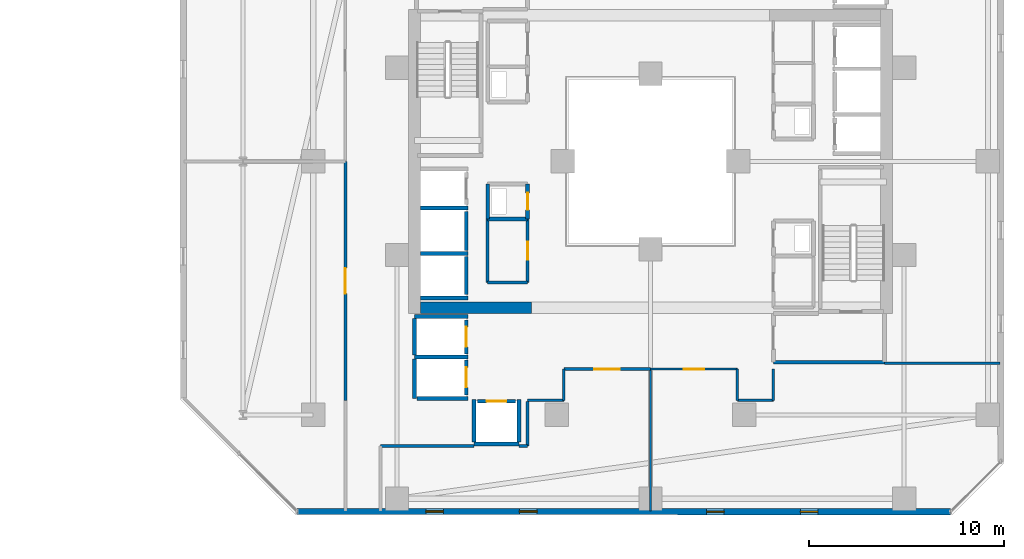
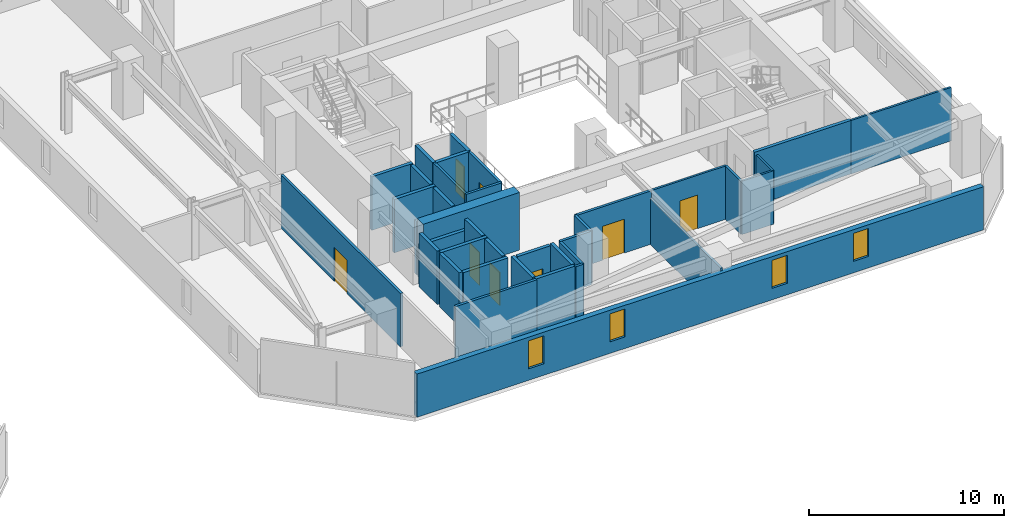
# One storey, part 20 of 30: 38 walls, 8 doors, 4 windows, 12 openings.
"""IFC4 building model written with IfcOpenShell, lengths in metres."""

from ifc_helpers import new_model, si_unit, direction, frame, frame_2d, origin, place, context, subcontext, project, spatial, rectangle, extrude, material, layer, layer_set, type_object, element, fill, save


model = new_model("IFC4")

# Units and contexts
model_context = context("Model", 3, precision=1e-05, world=origin(), true_north=direction((0.0, 1.0)))
body_context = subcontext(model_context, "Body", "Model", "MODEL_VIEW")
ifc_project = project(units=[si_unit("LENGTHUNIT", "METRE"), si_unit("AREAUNIT", "SQUARE_METRE"), si_unit("VOLUMEUNIT", "CUBIC_METRE"), si_unit("PLANEANGLEUNIT", "RADIAN"), si_unit("MASSUNIT", "GRAM", prefix="KILO")], contexts=[model_context])

# Site, building, storey
site_placement = place(None, origin())
site = spatial("IfcSite", under=ifc_project, at=site_placement, CompositionType="ELEMENT")
building_placement = place(site_placement, origin())
building = spatial("IfcBuilding", under=site, at=building_placement, Name="Thornwick Lancets Civic Towers", CompositionType="ELEMENT")
storey_placement = place(building_placement, frame((0.0, 0.0, 80.10009765625)))
storey = spatial("IfcBuildingStorey", under=building, at=storey_placement, Name="L20", CompositionType="ELEMENT", Elevation=80.10009765625)

# Walls
ifc_material_1 = material(Name="Concrete blockwork C40/50", Category="masonry")
ifc_layer_1 = layer(ifc_material_1, 0.199951171875, Name="Concrete blockwork C40/50")
ifc_layer_set_1 = layer_set([ifc_layer_1], Name="Concrete blockwork C40/50")
wall_type_1 = type_object("IfcWallType", Name="WALL_COMP_200", PredefinedType="STANDARD", material=ifc_layer_set_1)
wall_1_placement = place(storey_placement, frame((79.050048828125, 22.429931640625, 0.0), z_axis=(0.0, 0.0, 1.0), x_axis=(0.0, 1.0, 0.0)))
element("IfcWall", 1, at=wall_1_placement, inside=storey, type_object=wall_type_1, Name="L20 Hoistway Front Wall PL-BH2", PredefinedType="STANDARD", context=body_context, shape_type="SweptSolid", body=[
    extrude(rectangle(XDim=1.989990234375, YDim=0.199951171875, at=frame_2d((0.9951171875, 0.0))), origin(), (0.0, 0.0, 1.0), 3.33984375),
])
wall_2_placement = place(storey_placement, frame((79.050048828125, 20.179931640625, 0.0), z_axis=(0.0, 0.0, 1.0), x_axis=(0.0, 1.0, 0.0)))
element("IfcWall", 2, at=wall_2_placement, inside=storey, type_object=wall_type_1, Name="L20 Hoistway Front Wall PL-BH3", PredefinedType="STANDARD", context=body_context, shape_type="SweptSolid", body=[
    extrude(rectangle(XDim=1.940185546875, YDim=0.199951171875, at=frame_2d((0.97021484375, 0.0))), origin(), (0.0, 0.0, 1.0), 3.33984375),
])

# Wall, opening, door
wall_3_placement = place(storey_placement, frame((79.050048828125, 17.1298828125, 0.0), z_axis=(0.0, 0.0, 1.0), x_axis=(0.0, 1.0, 0.0)))
wall_3 = element("IfcWall", 3, at=wall_3_placement, inside=storey, type_object=wall_type_1, Name="L20 Hoistway Front Wall PL-BM1", PredefinedType="STANDARD", context=body_context, shape_type="SweptSolid", body=[
    extrude(rectangle(XDim=1.740234375, YDim=0.199951171875, at=frame_2d((0.8701171875, 0.0))), origin(), (0.0, 0.0, 1.0), 3.33984375),
])
opening_1_placement = place(wall_3_placement, frame((0.360107421875, 0.0, 0.0)))
opening_1 = element("IfcOpeningElement", 4, at=opening_1_placement, cuts=wall_3, Name="Opening LD-PL-BM1", PredefinedType="OPENING", context=body_context, shape_type="SweptSolid", body=[
    extrude(rectangle(XDim=1.02001953125, YDim=2.06005859375, at=frame_2d((0.510009765625, 1.030029296875))), frame((0.0, 0.10986328125, 0.0), z_axis=(0.0, -1.0, 0.0), x_axis=(1.0, 0.0, 0.0)), (0.0, 0.0, 1.0), 0.219970703125),
])
ifc_material_2 = material(Name="Brushed bronze stainless steel", Category="steel")
door_type_1 = type_object("IfcDoorType", Name="DOOR_LIFT_SLIDE", OperationType="SLIDING_TO_LEFT", PredefinedType="DOOR", material=ifc_material_2)
door_1_placement = place(opening_1_placement, origin())
door_1 = element("IfcDoor", 5, at=door_1_placement, inside=storey, type_object=door_type_1, Name="L20 Sliding Lift Landing Door LD-PL-BM1", OperationType="SLIDING_TO_LEFT", OverallHeight=2.06005859375, OverallWidth=1.02001953125, PredefinedType="DOOR", context=body_context, shape_type="SweptSolid", body=[
    extrude(rectangle(XDim=1.02001953125, YDim=2.06005859375, at=frame_2d((0.510009765625, 1.030029296875))), frame((0.0, 0.02490234375, 0.0), z_axis=(0.0, -1.0, 0.0), x_axis=(1.0, 0.0, 0.0)), (0.0, 0.0, 1.0), 0.050048828125),
])
fill(opening_1, door_1)

wall_4_placement = place(storey_placement, frame((79.050048828125, 15.030029296875, 0.0), z_axis=(0.0, 0.0, 1.0), x_axis=(0.0, 1.0, 0.0)))
wall_4 = element("IfcWall", 6, at=wall_4_placement, inside=storey, type_object=wall_type_1, Name="L20 Hoistway Front Wall PL-BM2", PredefinedType="STANDARD", context=body_context, shape_type="SweptSolid", body=[
    extrude(rectangle(XDim=1.7900390625, YDim=0.199951171875, at=frame_2d((0.89501953125, 0.0))), origin(), (0.0, 0.0, 1.0), 3.33984375),
])
opening_2_placement = place(wall_4_placement, frame((0.385009765625, 0.0, 0.0)))
opening_2 = element("IfcOpeningElement", 7, at=opening_2_placement, cuts=wall_4, Name="Opening LD-PL-BM2", PredefinedType="OPENING", context=body_context, shape_type="SweptSolid", body=[
    extrude(rectangle(XDim=1.02001953125, YDim=2.06005859375, at=frame_2d((0.510009765625, 1.030029296875))), frame((0.0, 0.10986328125, 0.0), z_axis=(0.0, -1.0, 0.0), x_axis=(1.0, 0.0, 0.0)), (0.0, 0.0, 1.0), 0.219970703125),
])
door_2_placement = place(opening_2_placement, origin())
door_2 = element("IfcDoor", 8, at=door_2_placement, inside=storey, type_object=door_type_1, Name="L20 Sliding Lift Landing Door LD-PL-BM2", OperationType="SLIDING_TO_LEFT", OverallHeight=2.06005859375, OverallWidth=1.02001953125, PredefinedType="DOOR", context=body_context, shape_type="SweptSolid", body=[
    extrude(rectangle(XDim=1.02001953125, YDim=2.06005859375, at=frame_2d((0.510009765625, 1.030029296875))), frame((0.0, 0.02490234375, 0.0), z_axis=(0.0, -1.0, 0.0), x_axis=(1.0, 0.0, 0.0)), (0.0, 0.0, 1.0), 0.050048828125),
])
fill(opening_2, door_2)

wall_5_placement = place(storey_placement, frame((79.6298828125, 14.699951171875, 0.0), z_axis=(0.0, 0.0, 1.0), x_axis=(1.0, 0.0, 0.0)))
wall_5 = element("IfcWall", 9, at=wall_5_placement, inside=storey, type_object=wall_type_1, Name="L20 Hoistway Front Wall PL-BM3", PredefinedType="STANDARD", context=body_context, shape_type="SweptSolid", body=[
    extrude(rectangle(XDim=1.940185546875, YDim=0.199951171875, at=frame_2d((0.97021484375, 0.0))), origin(), (0.0, 0.0, 1.0), 3.33984375),
])
opening_3_placement = place(wall_5_placement, frame((0.4599609375, 0.0, 0.0)))
opening_3 = element("IfcOpeningElement", 10, at=opening_3_placement, cuts=wall_5, Name="Opening LD-PL-BM3", PredefinedType="OPENING", context=body_context, shape_type="SweptSolid", body=[
    extrude(rectangle(XDim=1.02001953125, YDim=2.06005859375, at=frame_2d((0.510009765625, 1.030029296875))), frame((0.0, 0.10986328125, 0.0), z_axis=(0.0, -1.0, 0.0), x_axis=(1.0, 0.0, 0.0)), (0.0, 0.0, 1.0), 0.219970703125),
])
door_3_placement = place(opening_3_placement, origin())
door_3 = element("IfcDoor", 11, at=door_3_placement, inside=storey, type_object=door_type_1, Name="L20 Sliding Lift Landing Door LD-PL-BM3", OperationType="SLIDING_TO_LEFT", OverallHeight=2.06005859375, OverallWidth=1.02001953125, PredefinedType="DOOR", context=body_context, shape_type="SweptSolid", body=[
    extrude(rectangle(XDim=1.02001953125, YDim=2.06005859375, at=frame_2d((0.510009765625, 1.030029296875))), frame((0.0, 0.02490234375, 0.0), z_axis=(0.0, -1.0, 0.0), x_axis=(1.0, 0.0, 0.0)), (0.0, 0.0, 1.0), 0.050048828125),
])
fill(opening_3, door_3)

# Walls
for number, where, z_axis, x_axis, name in (
    (12, (76.7119140625, 24.60009765625, 0.0), (0.0, 0.0, 1.0), (1.0, 0.0, 0.0), "L20 Hoistway Shaft Wall FL-B2 S"),
    (13, (76.7119140625, 22.27490234375, 0.0), (0.0, 0.0, 1.0), (1.0, 0.0, 0.0), "L20 Hoistway Shaft Wall PL-BH2 S"),
    (14, (76.7119140625, 20.0, 0.0), (0.0, 0.0, 1.0), (1.0, 0.0, 0.0), "L20 Hoistway Shaft Wall PL-BH3 S"),
):
    element("IfcWall", number, at=place(storey_placement, frame(where, z_axis=z_axis, x_axis=x_axis)), inside=storey, type_object=wall_type_1, Name=name, PredefinedType="STANDARD", context=body_context, shape_type="SweptSolid", body=[
        extrude(rectangle(XDim=2.43603515625, YDim=0.199951171875, at=frame_2d((1.218017578125, 0.0))), origin(), (0.0, 0.0, 1.0), 3.33984375),
    ])
wall_6_placement = place(storey_placement, frame((76.402099609375, 19.050048828125, 0.0), z_axis=(0.0, 0.0, 1.0), x_axis=(1.0, 0.0, 0.0)))
element("IfcWall", 15, at=wall_6_placement, inside=storey, type_object=wall_type_1, Name="L20 Hoistway Shaft Wall PL-BM1 N", PredefinedType="STANDARD", context=body_context, shape_type="SweptSolid", body=[
    extrude(rectangle(XDim=2.745849609375, YDim=0.199951171875, at=frame_2d((1.373046875, 0.0))), origin(), (0.0, 0.0, 1.0), 2.544921875),
])
wall_7_placement = place(storey_placement, frame((76.402099609375, 16.97509765625, 0.0), z_axis=(0.0, 0.0, 1.0), x_axis=(1.0, 0.0, 0.0)))
element("IfcWall", 16, at=wall_7_placement, inside=storey, type_object=wall_type_1, Name="L20 Hoistway Shaft Wall PL-BM1 S", PredefinedType="STANDARD", context=body_context, shape_type="SweptSolid", body=[
    extrude(rectangle(XDim=2.745849609375, YDim=0.199951171875, at=frame_2d((1.373046875, 0.0))), origin(), (0.0, 0.0, 1.0), 3.33984375),
])
wall_8_placement = place(storey_placement, frame((76.39990234375, 14.85205078125, 0.0), z_axis=(0.0, 0.0, 1.0), x_axis=(0.0, 1.0, 0.0)))
element("IfcWall", 17, at=wall_8_placement, inside=storey, type_object=wall_type_1, Name="L20 Hoistway Shaft Wall PL-BM1 W", PredefinedType="STANDARD", context=body_context, shape_type="SweptSolid", body=[
    extrude(rectangle(XDim=2.015869140625, YDim=0.199951171875, at=frame_2d((1.0078125, 0.0))), origin(), (0.0, 0.0, 1.0), 3.33984375),
])
wall_9_placement = place(storey_placement, frame((76.39990234375, 17.08203125, 0.0), z_axis=(0.0, 0.0, 1.0), x_axis=(0.0, 1.0, 0.0)))
element("IfcWall", 18, at=wall_9_placement, inside=storey, type_object=wall_type_1, Name="L20 Hoistway Shaft Wall PL-BM1 W", PredefinedType="STANDARD", context=body_context, shape_type="SweptSolid", body=[
    extrude(rectangle(XDim=1.85595703125, YDim=0.199951171875, at=frame_2d((0.927978515625, 0.0))), origin(), (0.0, 0.0, 1.0), 3.33984375),
])
wall_10_placement = place(storey_placement, frame((76.511962890625, 14.85009765625, 0.0), z_axis=(0.0, 0.0, 1.0), x_axis=(1.0, 0.0, 0.0)))
element("IfcWall", 19, at=wall_10_placement, inside=storey, type_object=wall_type_1, Name="L20 Hoistway Shaft Wall PL-BM2 S", PredefinedType="STANDARD", context=body_context, shape_type="SweptSolid", body=[
    extrude(rectangle(XDim=2.635986328125, YDim=0.199951171875, at=frame_2d((1.31787109375, 0.0))), origin(), (0.0, 0.0, 1.0), 3.33984375),
])
wall_11_placement = place(storey_placement, frame((79.451904296875, 12.5, 0.0), z_axis=(0.0, 0.0, 1.0), x_axis=(1.0, 0.0, 0.0)))
element("IfcWall", 20, at=wall_11_placement, inside=storey, type_object=wall_type_1, Name="L20 Hoistway Shaft Wall PL-BM3 S", PredefinedType="STANDARD", context=body_context, shape_type="SweptSolid", body=[
    extrude(rectangle(XDim=2.296142578125, YDim=0.199951171875, at=frame_2d((1.14794921875, 0.0))), origin(), (0.0, 0.0, 1.0), 3.33984375),
])
for number, where, z_axis, x_axis, name in (
    (21, (81.75, 12.612060546875, 0.0), (0.0, 0.0, 1.0), (0.0, 1.0, 0.0), "L20 Hoistway Shaft Wall PL-BM3 E"),
    (22, (79.449951171875, 12.612060546875, 0.0), (0.0, 0.0, 1.0), (0.0, 1.0, 0.0), "L20 Hoistway Shaft Wall PL-BM3 W"),
):
    element("IfcWall", number, at=place(storey_placement, frame(where, z_axis=z_axis, x_axis=x_axis)), inside=storey, type_object=wall_type_1, Name=name, PredefinedType="STANDARD", context=body_context, shape_type="SweptSolid", body=[
        extrude(rectangle(XDim=2.18603515625, YDim=0.199951171875, at=frame_2d((1.093017578125, 0.0))), origin(), (0.0, 0.0, 1.0), 3.33984375),
    ])
wall_12_placement = place(storey_placement, frame((94.800048828125, 16.699951171875, 0.0), z_axis=(0.0, 0.0, 1.0), x_axis=(1.0, 0.0, 0.0)))
element("IfcWall", 23, at=wall_12_placement, inside=storey, type_object=wall_type_1, Name="L20 Partition L20-B-FFLOB1 E1", PredefinedType="STANDARD", context=body_context, shape_type="SweptSolid", body=[
    extrude(rectangle(XDim=5.699951171875, YDim=0.199951171875, at=frame_2d((2.85009765625, 0.0))), origin(), (0.0, 0.0, 1.0), 3.33984375),
])
wall_13_placement = place(storey_placement, frame((80.14990234375, 24.050048828125, 0.0), z_axis=(0.0, 0.0, 1.0), x_axis=(1.0, 0.0, 0.0)))
element("IfcWall", 24, at=wall_13_placement, inside=storey, type_object=wall_type_1, Name="L20 Partition L20-B-DUCT2 E1", PredefinedType="STANDARD", context=body_context, shape_type="SweptSolid", body=[
    extrude(rectangle(XDim=2.050048828125, YDim=0.199951171875, at=frame_2d((1.02490234375, 0.0))), origin(), (0.0, 0.0, 1.0), 3.33984375),
])

# Wall, opening, door
wall_14_placement = place(storey_placement, frame((82.199951171875, 24.050048828125, 0.0), z_axis=(0.0, 0.0, 1.0), x_axis=(0.0, 1.0, 0.0)))
wall_14 = element("IfcWall", 25, at=wall_14_placement, inside=storey, type_object=wall_type_1, Name="L20 Partition L20-B-DUCT2 E2", PredefinedType="STANDARD", context=body_context, shape_type="SweptSolid", body=[
    extrude(rectangle(XDim=1.800048828125, YDim=0.199951171875, at=frame_2d((0.89990234375, 0.0))), origin(), (0.0, 0.0, 1.0), 3.33984375),
])
opening_4_placement = place(wall_14_placement, frame((0.4599609375, 0.0, 0.0)))
opening_4 = element("IfcOpeningElement", 26, at=opening_4_placement, cuts=wall_14, Name="Opening D-L20-0946", PredefinedType="OPENING", context=body_context, shape_type="SweptSolid", body=[
    extrude(rectangle(XDim=0.8798828125, YDim=2.0400390625, at=frame_2d((0.43994140625, 1.02001953125))), frame((0.0, 0.10986328125, 0.0), z_axis=(0.0, -1.0, 0.0), x_axis=(1.0, 0.0, 0.0)), (0.0, 0.0, 1.0), 0.219970703125),
])
ifc_material_3 = material(Name="Steel riser access doorset", Category="steel")
door_type_2 = type_object("IfcDoorType", Name="DOOR_RISER_850", OperationType="NOTDEFINED", PredefinedType="DOOR", material=ifc_material_3)
door_4_placement = place(opening_4_placement, origin())
door_4 = element("IfcDoor", 27, at=door_4_placement, inside=storey, type_object=door_type_2, Name="L20 West Service Duct 2 Door", OperationType="SINGLE_SWING_LEFT", OverallHeight=2.0400390625, OverallWidth=0.8798828125, PredefinedType="DOOR", context=body_context, shape_type="SweptSolid", body=[
    extrude(rectangle(XDim=0.8798828125, YDim=2.0400390625, at=frame_2d((0.43994140625, 1.02001953125))), frame((0.0, 0.02490234375, 0.0), z_axis=(0.0, -1.0, 0.0), x_axis=(1.0, 0.0, 0.0)), (0.0, 0.0, 1.0), 0.050048828125),
])
fill(opening_4, door_4)

# Walls
wall_15_placement = place(storey_placement, frame((80.14990234375, 25.85009765625, 0.0), z_axis=(0.0, 0.0, 1.0), x_axis=(0.0, -1.0, 0.0)))
element("IfcWall", 28, at=wall_15_placement, inside=storey, type_object=wall_type_1, Name="L20 Partition L20-B-DUCT2 E4", PredefinedType="STANDARD", context=body_context, shape_type="SweptSolid", body=[
    extrude(rectangle(XDim=1.800048828125, YDim=0.199951171875, at=frame_2d((0.89990234375, 0.0))), origin(), (0.0, 0.0, 1.0), 3.33984375),
])
ifc_material_4 = material(Name="Concrete C60/75", Category="concrete")
ifc_layer_2 = layer(ifc_material_4, 0.60009765625, Name="Concrete C60/75")
ifc_layer_set_2 = layer_set([ifc_layer_2], Name="Concrete C60/75")
wall_type_2 = type_object("IfcWallType", Name="WALL_CORE_600", PredefinedType="SHEAR", material=ifc_layer_set_2)
wall_16_placement = place(storey_placement, frame((76.699951171875, 19.5, 0.0), z_axis=(0.0, 0.0, 1.0), x_axis=(1.0, 0.0, 0.0)))
element("IfcWall", 29, at=wall_16_placement, inside=storey, type_object=wall_type_2, Name="L20 Split Core B2 Shear Wall S", PredefinedType="SHEAR", context=body_context, shape_type="SweptSolid", body=[
    extrude(rectangle(XDim=5.699951171875, YDim=0.60009765625, at=frame_2d((2.85009765625, 0.0))), origin(), (0.0, 0.0, 1.0), 3.599853515625),
])

# Wall, openings, windows
ifc_material_5 = material(Name="Insulated buff terracotta rainscreen on concrete C40/50", Category="masonry")
ifc_layer_3 = layer(ifc_material_5, 0.320068359375, Name="Insulated buff terracotta rainscreen on concrete C40/50")
ifc_layer_set_3 = layer_set([ifc_layer_3], Name="Insulated buff terracotta rainscreen on concrete C40/50")
wall_type_3 = type_object("IfcWallType", Name="WALL_EXT_TERRA_320", PredefinedType="STANDARD", material=ifc_layer_set_3)
wall_17_placement = place(storey_placement, frame((70.37841796875, 9.0458984375, 0.0), z_axis=(0.0, 0.0, 1.0), x_axis=(0.999999950907, -0.000313347115, 0.0)))
wall_17 = element("IfcWall", 30, at=wall_17_placement, inside=storey, type_object=wall_type_3, Name="L20 Tower B Terracotta Facade Wall E0", PredefinedType="STANDARD", context=body_context, shape_type="SweptSolid", body=[
    extrude(rectangle(XDim=33.5029296875, YDim=0.320068359375, at=frame_2d((16.75146484375, 0.0))), origin(), (0.0, 0.0, 1.0), 2.699951171875),
])
opening_5_placement = place(wall_17_placement, frame((6.60009765625, 0.0, 0.719970703125)))
opening_5 = element("IfcOpeningElement", 31, at=opening_5_placement, cuts=wall_17, Name="Opening WL-01", PredefinedType="OPENING", context=body_context, shape_type="SweptSolid", body=[
    extrude(rectangle(XDim=0.89990234375, YDim=1.75, at=frame_2d((0.449951171875, 0.875))), frame((0.0, 0.169921875, 0.0), z_axis=(0.0, -1.0, 0.0), x_axis=(1.0, 0.0, 0.0)), (0.0, 0.0, 1.0), 0.340087890625),
])
opening_6_placement = place(wall_17_placement, frame((11.39990234375, 0.0, 0.719970703125)))
opening_6 = element("IfcOpeningElement", 32, at=opening_6_placement, cuts=wall_17, Name="Opening WL-01", PredefinedType="OPENING", context=body_context, shape_type="SweptSolid", body=[
    extrude(rectangle(XDim=0.89990234375, YDim=1.75, at=frame_2d((0.449951171875, 0.875))), frame((0.0, 0.169921875, 0.0), z_axis=(0.0, -1.0, 0.0), x_axis=(1.0, 0.0, 0.0)), (0.0, 0.0, 1.0), 0.340087890625),
])
opening_7_placement = place(wall_17_placement, frame((21.0, 0.0, 0.719970703125)))
opening_7 = element("IfcOpeningElement", 33, at=opening_7_placement, cuts=wall_17, Name="Opening WL-01", PredefinedType="OPENING", context=body_context, shape_type="SweptSolid", body=[
    extrude(rectangle(XDim=0.89990234375, YDim=1.75, at=frame_2d((0.449951171875, 0.875))), frame((0.0, 0.169921875, 0.0), z_axis=(0.0, -1.0, 0.0), x_axis=(1.0, 0.0, 0.0)), (0.0, 0.0, 1.0), 0.340087890625),
])
opening_8_placement = place(wall_17_placement, frame((25.800048828125, 0.0, 0.719970703125)))
opening_8 = element("IfcOpeningElement", 34, at=opening_8_placement, cuts=wall_17, Name="Opening WL-01", PredefinedType="OPENING", context=body_context, shape_type="SweptSolid", body=[
    extrude(rectangle(XDim=0.89990234375, YDim=1.75, at=frame_2d((0.449951171875, 0.875))), frame((0.0, 0.169921875, 0.0), z_axis=(0.0, -1.0, 0.0), x_axis=(1.0, 0.0, 0.0)), (0.0, 0.0, 1.0), 0.340087890625),
])
ifc_material_6 = material(Name="Clear low-e double glazing in bronze frame", Category="glass")
window_type = type_object("IfcWindowType", Name="WIN_LANCET_900", PartitioningType="SINGLE_PANEL", PredefinedType="WINDOW", material=ifc_material_6)
window_1_placement = place(opening_5_placement, origin())
window_1 = element("IfcWindow", 35, at=window_1_placement, inside=storey, type_object=window_type, Name="L20 Tower B Staggered Lancet Window E0-1", OverallHeight=1.75, OverallWidth=0.89990234375, PartitioningType="SINGLE_PANEL", PredefinedType="WINDOW", context=body_context, shape_type="SweptSolid", body=[
    extrude(rectangle(XDim=0.89990234375, YDim=1.75, at=frame_2d((0.449951171875, 0.875))), frame((0.0, 0.030029296875, 0.0), z_axis=(0.0, -1.0, 0.0), x_axis=(1.0, 0.0, 0.0)), (0.0, 0.0, 1.0), 0.06005859375),
])
fill(opening_5, window_1)
window_2_placement = place(opening_6_placement, origin())
window_2 = element("IfcWindow", 36, at=window_2_placement, inside=storey, type_object=window_type, Name="L20 Tower B Staggered Lancet Window E0-2", OverallHeight=1.75, OverallWidth=0.89990234375, PartitioningType="SINGLE_PANEL", PredefinedType="WINDOW", context=body_context, shape_type="SweptSolid", body=[
    extrude(rectangle(XDim=0.89990234375, YDim=1.75, at=frame_2d((0.449951171875, 0.875))), frame((0.0, 0.030029296875, 0.0), z_axis=(0.0, -1.0, 0.0), x_axis=(1.0, 0.0, 0.0)), (0.0, 0.0, 1.0), 0.06005859375),
])
fill(opening_6, window_2)
window_3_placement = place(opening_7_placement, origin())
window_3 = element("IfcWindow", 37, at=window_3_placement, inside=storey, type_object=window_type, Name="L20 Tower B Staggered Lancet Window E0-3", OverallHeight=1.75, OverallWidth=0.89990234375, PartitioningType="SINGLE_PANEL", PredefinedType="WINDOW", context=body_context, shape_type="SweptSolid", body=[
    extrude(rectangle(XDim=0.89990234375, YDim=1.75, at=frame_2d((0.449951171875, 0.875))), frame((0.0, 0.030029296875, 0.0), z_axis=(0.0, -1.0, 0.0), x_axis=(1.0, 0.0, 0.0)), (0.0, 0.0, 1.0), 0.06005859375),
])
fill(opening_7, window_3)
window_4_placement = place(opening_8_placement, origin())
window_4 = element("IfcWindow", 38, at=window_4_placement, inside=storey, type_object=window_type, Name="L20 Tower B Staggered Lancet Window E0-4", OverallHeight=1.75, OverallWidth=0.89990234375, PartitioningType="SINGLE_PANEL", PredefinedType="WINDOW", context=body_context, shape_type="SweptSolid", body=[
    extrude(rectangle(XDim=0.89990234375, YDim=1.75, at=frame_2d((0.449951171875, 0.875))), frame((0.0, 0.030029296875, 0.0), z_axis=(0.0, -1.0, 0.0), x_axis=(1.0, 0.0, 0.0)), (0.0, 0.0, 1.0), 0.06005859375),
])
fill(opening_8, window_4)

# Walls
ifc_material_7 = material(Name="Acoustic gypsum board partition")
ifc_layer_4 = layer(ifc_material_7, 0.1201171875, Name="Acoustic gypsum board partition")
ifc_layer_set_4 = layer_set([ifc_layer_4], Name="Acoustic gypsum board partition")
wall_type_4 = type_object("IfcWallType", Name="WALL_PART_120", PredefinedType="PARTITIONING", material=ifc_layer_set_4)
wall_18_placement = place(storey_placement, frame((92.949951171875, 16.35009765625, 0.0), z_axis=(0.0, 0.0, 1.0), x_axis=(0.0, -1.0, 0.0)))
element("IfcWall", 39, at=wall_18_placement, inside=storey, type_object=wall_type_4, Name="L20 Partition L20-B-W1 E1", PredefinedType="PARTITIONING", context=body_context, shape_type="SweptSolid", body=[
    extrude(rectangle(XDim=1.60009765625, YDim=0.1201171875, at=frame_2d((0.800048828125, 0.0))), origin(), (0.0, 0.0, 1.0), 3.33984375),
])
wall_19_placement = place(storey_placement, frame((92.949951171875, 14.75, 0.0), z_axis=(0.0, 0.0, 1.0), x_axis=(1.0, 0.0, 0.0)))
element("IfcWall", 40, at=wall_19_placement, inside=storey, type_object=wall_type_4, Name="L20 Partition L20-B-W1 E2", PredefinedType="PARTITIONING", context=body_context, shape_type="SweptSolid", body=[
    extrude(rectangle(XDim=1.85009765625, YDim=0.1201171875, at=frame_2d((0.925048828125, 0.0))), origin(), (0.0, 0.0, 1.0), 3.33984375),
])
wall_20_placement = place(storey_placement, frame((94.800048828125, 14.75, 0.0), z_axis=(0.0, 0.0, 1.0), x_axis=(0.0, 1.0, 0.0)))
element("IfcWall", 41, at=wall_20_placement, inside=storey, type_object=wall_type_4, Name="L20 Partition L20-B-W1 E3", PredefinedType="PARTITIONING", context=body_context, shape_type="SweptSolid", body=[
    extrude(rectangle(XDim=1.60009765625, YDim=0.1201171875, at=frame_2d((0.800048828125, 0.0))), origin(), (0.0, 0.0, 1.0), 3.33984375),
])
wall_21_placement = place(storey_placement, frame((100.5, 16.64990234375, 0.0), z_axis=(0.0, 0.0, 1.0), x_axis=(1.0, 0.0, 0.0)))
element("IfcWall", 42, at=wall_21_placement, inside=storey, type_object=wall_type_4, Name="L20 Partition L20-B-W1 E5", PredefinedType="PARTITIONING", context=body_context, shape_type="SweptSolid", body=[
    extrude(rectangle(XDim=5.919921875, YDim=0.1201171875, at=frame_2d((2.9599609375, 0.0))), origin(), (0.0, 0.0, 1.0), 3.33984375),
])
wall_22_placement = place(storey_placement, frame((88.5, 9.080078125, 0.0), z_axis=(0.0, 0.0, 1.0), x_axis=(0.0, 1.0, 0.0)))
element("IfcWall", 43, at=wall_22_placement, inside=storey, type_object=wall_type_4, Name="L20 Partition L20-B-W1 E9", PredefinedType="PARTITIONING", context=body_context, shape_type="SweptSolid", body=[
    extrude(rectangle(XDim=7.27001953125, YDim=0.1201171875, at=frame_2d((3.635009765625, 0.0))), origin(), (0.0, 0.0, 1.0), 2.881591796875),
])

# Wall, opening, door
wall_23_placement = place(storey_placement, frame((88.5, 16.35009765625, 0.0), z_axis=(0.0, 0.0, 1.0), x_axis=(1.0, 0.0, 0.0)))
wall_23 = element("IfcWall", 44, at=wall_23_placement, inside=storey, type_object=wall_type_4, Name="L20 Partition L20-B-W1 E10", PredefinedType="PARTITIONING", context=body_context, shape_type="SweptSolid", body=[
    extrude(rectangle(XDim=4.449951171875, YDim=0.1201171875, at=frame_2d((2.22509765625, 0.0))), origin(), (0.0, 0.0, 1.0), 3.33984375),
])
opening_9_placement = place(wall_23_placement, frame((1.699951171875, 0.0, 0.0)))
opening_9 = element("IfcOpeningElement", 45, at=opening_9_placement, cuts=wall_23, Name="Opening D-L20-0959", PredefinedType="OPENING", context=body_context, shape_type="SweptSolid", body=[
    extrude(rectangle(XDim=1.050048828125, YDim=2.10009765625, at=frame_2d((0.52490234375, 1.050048828125))), frame((0.0, 0.070068359375, 0.0), z_axis=(0.0, -1.0, 0.0), x_axis=(1.0, 0.0, 0.0)), (0.0, 0.0, 1.0), 0.14013671875),
])
ifc_material_8 = material(Name="Glazed European oak executive doorset")
door_type_3 = type_object("IfcDoorType", Name="DOOR_OFFICE_1050", OperationType="NOTDEFINED", PredefinedType="DOOR", material=ifc_material_8)
door_5_placement = place(opening_9_placement, origin())
door_5 = element("IfcDoor", 46, at=door_5_placement, inside=storey, type_object=door_type_3, Name="L20 Tower B Ministry Directorate Office W1 Door", OperationType="SINGLE_SWING_RIGHT", OverallHeight=2.10009765625, OverallWidth=1.050048828125, PredefinedType="DOOR", context=body_context, shape_type="SweptSolid", body=[
    extrude(rectangle(XDim=1.050048828125, YDim=2.10009765625, at=frame_2d((0.52490234375, 1.050048828125))), frame((0.0, 0.02490234375, 0.0), z_axis=(0.0, -1.0, 0.0), x_axis=(1.0, 0.0, 0.0)), (0.0, 0.0, 1.0), 0.050048828125),
])
fill(opening_9, door_5)

# Walls
ifc_material_9 = material(Name="Twin-stud acoustic gypsum board")
ifc_layer_5 = layer(ifc_material_9, 0.14990234375, Name="Twin-stud acoustic gypsum board")
ifc_layer_set_5 = layer_set([ifc_layer_5], Name="Twin-stud acoustic gypsum board")
wall_type_5 = type_object("IfcWallType", Name="WALL_PART_150", PredefinedType="PARTITIONING", material=ifc_layer_set_5)
wall_24_placement = place(storey_placement, frame((82.199951171875, 20.800048828125, 0.0), z_axis=(0.0, 0.0, 1.0), x_axis=(-1.0, 0.0, 0.0)))
element("IfcWall", 47, at=wall_24_placement, inside=storey, type_object=wall_type_5, Name="L20 Partition L20-B-FWC E1", PredefinedType="PARTITIONING", context=body_context, shape_type="SweptSolid", body=[
    extrude(rectangle(XDim=2.050048828125, YDim=0.14990234375, at=frame_2d((1.02490234375, 0.0))), origin(), (0.0, 0.0, 1.0), 3.33984375),
])
wall_25_placement = place(storey_placement, frame((80.14990234375, 20.800048828125, 0.0), z_axis=(0.0, 0.0, 1.0), x_axis=(0.0, 1.0, 0.0)))
element("IfcWall", 48, at=wall_25_placement, inside=storey, type_object=wall_type_5, Name="L20 Partition L20-B-FWC E2", PredefinedType="PARTITIONING", context=body_context, shape_type="SweptSolid", body=[
    extrude(rectangle(XDim=3.25, YDim=0.14990234375, at=frame_2d((1.625, 0.0))), origin(), (0.0, 0.0, 1.0), 3.33984375),
])

# Wall, opening, door
wall_26_placement = place(storey_placement, frame((82.199951171875, 24.050048828125, 0.0), z_axis=(0.0, 0.0, 1.0), x_axis=(0.0, -1.0, 0.0)))
wall_26 = element("IfcWall", 49, at=wall_26_placement, inside=storey, type_object=wall_type_5, Name="L20 Partition L20-B-FWC E4", PredefinedType="PARTITIONING", context=body_context, shape_type="SweptSolid", body=[
    extrude(rectangle(XDim=3.25, YDim=0.14990234375, at=frame_2d((1.625, 0.0))), origin(), (0.0, 0.0, 1.0), 3.33984375),
])
opening_10_placement = place(wall_26_placement, frame((1.1650390625, 0.0, 0.0)))
opening_10 = element("IfcOpeningElement", 50, at=opening_10_placement, cuts=wall_26, Name="Opening D-L20-0951", PredefinedType="OPENING", context=body_context, shape_type="SweptSolid", body=[
    extrude(rectangle(XDim=0.919921875, YDim=2.080078125, at=frame_2d((0.4599609375, 1.0400390625))), frame((0.0, 0.0849609375, 0.0), z_axis=(0.0, -1.0, 0.0), x_axis=(1.0, 0.0, 0.0)), (0.0, 0.0, 1.0), 0.169921875),
])
ifc_material_10 = material(Name="Moisture-resistant oak doorset")
door_type_4 = type_object("IfcDoorType", Name="DOOR_WC_900", OperationType="NOTDEFINED", PredefinedType="DOOR", material=ifc_material_10)
door_6_placement = place(opening_10_placement, origin())
door_6 = element("IfcDoor", 51, at=door_6_placement, inside=storey, type_object=door_type_4, Name="L20 Tower B Female WC Door", OperationType="SINGLE_SWING_RIGHT", OverallHeight=2.080078125, OverallWidth=0.919921875, PredefinedType="DOOR", context=body_context, shape_type="SweptSolid", body=[
    extrude(rectangle(XDim=0.919921875, YDim=2.080078125, at=frame_2d((0.4599609375, 1.0400390625))), frame((0.0, 0.02490234375, 0.0), z_axis=(0.0, -1.0, 0.0), x_axis=(1.0, 0.0, 0.0)), (0.0, 0.0, 1.0), 0.050048828125),
])
fill(opening_10, door_6)

# Walls
wall_27_placement = place(storey_placement, frame((82.199951171875, 12.39990234375, 0.0), z_axis=(0.0, 0.0, 1.0), x_axis=(0.0, 1.0, 0.0)))
element("IfcWall", 52, at=wall_27_placement, inside=storey, type_object=wall_type_5, Name="L20 Partition L20-B-W2 E1", PredefinedType="PARTITIONING", context=body_context, shape_type="SweptSolid", body=[
    extrude(rectangle(XDim=2.300048828125, YDim=0.14990234375, at=frame_2d((1.14990234375, 0.0))), origin(), (0.0, 0.0, 1.0), 3.33984375),
])
wall_28_placement = place(storey_placement, frame((82.199951171875, 14.75, 0.0), z_axis=(0.0, 0.0, 1.0), x_axis=(1.0, 0.0, 0.0)))
element("IfcWall", 53, at=wall_28_placement, inside=storey, type_object=wall_type_5, Name="L20 Partition L20-B-W2 E3", PredefinedType="PARTITIONING", context=body_context, shape_type="SweptSolid", body=[
    extrude(rectangle(XDim=1.85009765625, YDim=0.14990234375, at=frame_2d((0.925048828125, 0.0))), origin(), (0.0, 0.0, 1.0), 3.33984375),
])
wall_29_placement = place(storey_placement, frame((84.050048828125, 14.75, 0.0), z_axis=(0.0, 0.0, 1.0), x_axis=(0.0, 1.0, 0.0)))
element("IfcWall", 54, at=wall_29_placement, inside=storey, type_object=wall_type_5, Name="L20 Partition L20-B-W2 E4", PredefinedType="PARTITIONING", context=body_context, shape_type="SweptSolid", body=[
    extrude(rectangle(XDim=1.60009765625, YDim=0.14990234375, at=frame_2d((0.800048828125, 0.0))), origin(), (0.0, 0.0, 1.0), 3.33984375),
])

# Wall, opening, door
wall_30_placement = place(storey_placement, frame((84.050048828125, 16.35009765625, 0.0), z_axis=(0.0, 0.0, 1.0), x_axis=(1.0, 0.0, 0.0)))
wall_30 = element("IfcWall", 55, at=wall_30_placement, inside=storey, type_object=wall_type_5, Name="L20 Partition L20-B-W2 E5", PredefinedType="PARTITIONING", context=body_context, shape_type="SweptSolid", body=[
    extrude(rectangle(XDim=4.449951171875, YDim=0.14990234375, at=frame_2d((2.22509765625, 0.0))), origin(), (0.0, 0.0, 1.0), 3.33984375),
])
opening_11_placement = place(wall_30_placement, frame((1.574951171875, 0.0, 0.0)))
opening_11 = element("IfcOpeningElement", 56, at=opening_11_placement, cuts=wall_30, Name="Opening D-L20-0960", PredefinedType="OPENING", context=body_context, shape_type="SweptSolid", body=[
    extrude(rectangle(XDim=1.300048828125, YDim=2.1201171875, at=frame_2d((0.64990234375, 1.06005859375))), frame((0.0, 0.0849609375, 0.0), z_axis=(0.0, -1.0, 0.0), x_axis=(1.0, 0.0, 0.0)), (0.0, 0.0, 1.0), 0.169921875),
])
ifc_material_11 = material(Name="Acoustic oak leaf-and-a-half doorset")
door_type_5 = type_object("IfcDoorType", Name="DOOR_MEET_1300", OperationType="DOUBLE_DOOR_SINGLE_SWING", PredefinedType="DOOR", material=ifc_material_11)
door_7_placement = place(opening_11_placement, origin())
door_7 = element("IfcDoor", 57, at=door_7_placement, inside=storey, type_object=door_type_5, Name="L20 Tower B Policy Briefing Room W2 Door", OperationType="DOUBLE_DOOR_SINGLE_SWING", OverallHeight=2.1201171875, OverallWidth=1.300048828125, PredefinedType="DOOR", context=body_context, shape_type="SweptSolid", body=[
    extrude(rectangle(XDim=1.300048828125, YDim=2.1201171875, at=frame_2d((0.64990234375, 1.06005859375))), frame((0.0, 0.02490234375, 0.0), z_axis=(0.0, -1.0, 0.0), x_axis=(1.0, 0.0, 0.0)), (0.0, 0.0, 1.0), 0.050048828125),
])
fill(opening_11, door_7)

# Walls
wall_31_placement = place(storey_placement, frame((74.64990234375, 12.39990234375, 0.0), z_axis=(0.0, 0.0, 1.0), x_axis=(1.0, 0.0, 0.0)))
element("IfcWall", 58, at=wall_31_placement, inside=storey, type_object=wall_type_5, Name="L20 Partition L20-B-W2 E9", PredefinedType="PARTITIONING", context=body_context, shape_type="SweptSolid", body=[
    extrude(rectangle(XDim=4.802001953125, YDim=0.14990234375, at=frame_2d((2.40087890625, 0.0))), origin(), (0.0, 0.0, 1.0), 3.33984375),
])
wall_32_placement = place(storey_placement, frame((81.748046875, 12.39990234375, 0.0), z_axis=(0.0, 0.0, 1.0), x_axis=(1.0, 0.0, 0.0)))
element("IfcWall", 59, at=wall_32_placement, inside=storey, type_object=wall_type_5, Name="L20 Partition L20-B-W2 E9", PredefinedType="PARTITIONING", context=body_context, shape_type="SweptSolid", body=[
    extrude(rectangle(XDim=0.451904296875, YDim=0.14990234375, at=frame_2d((0.22607421875, 0.0))), origin(), (0.0, 0.0, 1.0), 3.33984375),
])

# Wall, opening, door
wall_33_placement = place(storey_placement, frame((72.85009765625, 27.0, 0.0), z_axis=(0.0, 0.0, 1.0), x_axis=(0.0, -1.0, 0.0)))
wall_33 = element("IfcWall", 60, at=wall_33_placement, inside=storey, type_object=wall_type_5, Name="L20 Partition L20-B-N-CONF E6", PredefinedType="PARTITIONING", context=body_context, shape_type="SweptSolid", body=[
    extrude(rectangle(XDim=12.25, YDim=0.14990234375, at=frame_2d((6.125, 0.0))), origin(), (0.0, 0.0, 1.0), 3.33984375),
])
opening_12_placement = place(wall_33_placement, frame((5.47509765625, 0.0, 0.0)))
opening_12 = element("IfcOpeningElement", 61, at=opening_12_placement, cuts=wall_33, Name="Opening D-L20-0963", PredefinedType="OPENING", context=body_context, shape_type="SweptSolid", body=[
    extrude(rectangle(XDim=1.300048828125, YDim=2.1201171875, at=frame_2d((0.64990234375, 1.06005859375))), frame((0.0, 0.0849609375, 0.0), z_axis=(0.0, -1.0, 0.0), x_axis=(1.0, 0.0, 0.0)), (0.0, 0.0, 1.0), 0.169921875),
])
door_8_placement = place(opening_12_placement, origin())
door_8 = element("IfcDoor", 62, at=door_8_placement, inside=storey, type_object=door_type_5, Name="L20 Tower B North Conference Room Door", OperationType="DOUBLE_DOOR_SINGLE_SWING", OverallHeight=2.1201171875, OverallWidth=1.300048828125, PredefinedType="DOOR", context=body_context, shape_type="SweptSolid", body=[
    extrude(rectangle(XDim=1.300048828125, YDim=2.1201171875, at=frame_2d((0.64990234375, 1.06005859375))), frame((0.0, 0.02490234375, 0.0), z_axis=(0.0, -1.0, 0.0), x_axis=(1.0, 0.0, 0.0)), (0.0, 0.0, 1.0), 0.050048828125),
])
fill(opening_12, door_8)

save(model, "model.ifc")
